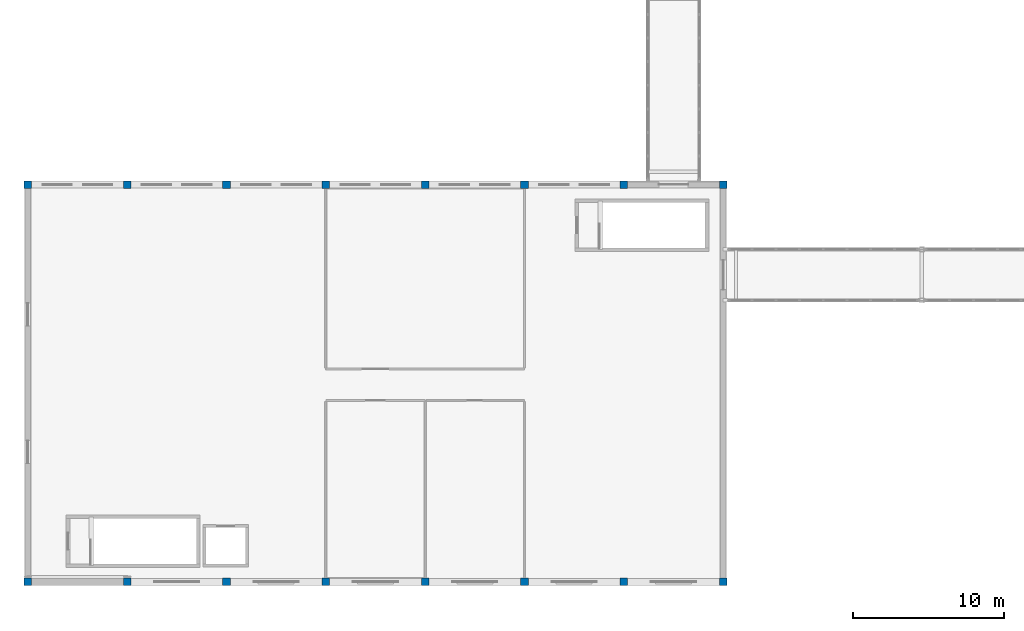
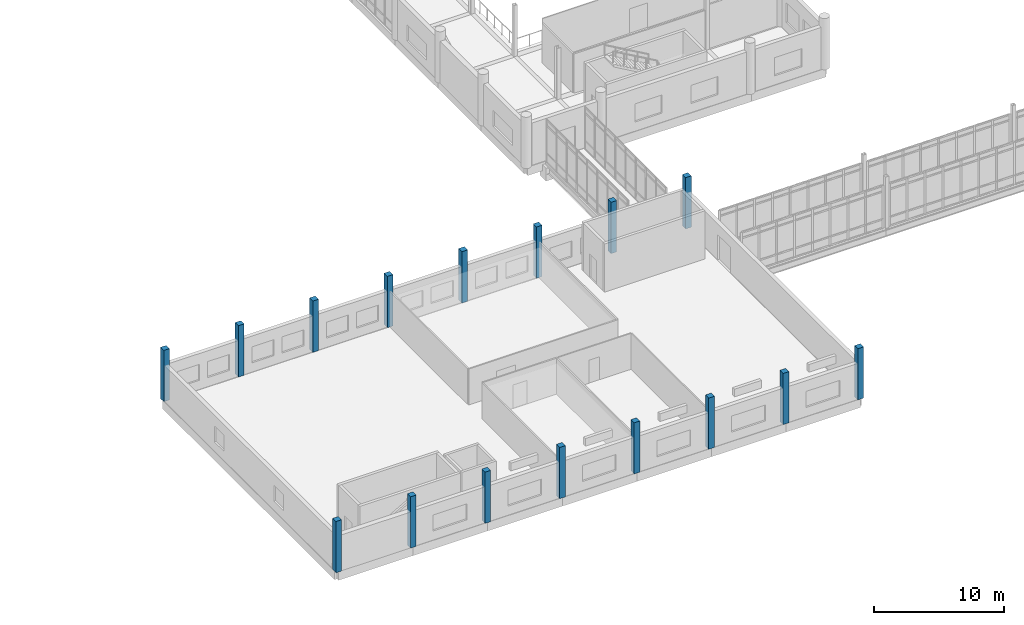
# One storey, part 1 of 101: 16 columns.
"""IFC4 building model written with IfcOpenShell, lengths in metres."""

import ifcopenshell
import ifcopenshell.guid

model = None  # the IFC model being written
_history = None  # IfcOwnerHistory: only IFC2X3 demands one
_inside = {}  # id of a spatial element -> (the spatial element, [elements in it])
_under = {}  # id of a project, library or spatial element -> (it, [spatial elements below it])
_declared = {}  # id of a project -> (the project, [libraries it declares])
_typed = {}  # id of a type object -> (the type object, [elements of that type])
_made_of = {}  # id of a material, layer set ... -> (it, [elements and type objects made of it])


def new_model(schema):
    """Start an empty IFC model of exactly this schema.

    Asked for "IFC4X3", IfcOpenShell would pick the latest addendum, in which some entities
    have other attributes; the version numbers below select the first issue.
    IFC2X3 requires an IfcOwnerHistory on every rooted entity: one is made here for all.
    """
    global model, _history
    if schema == "IFC4X3":
        model = ifcopenshell.file(schema_version=(4, 3, 0, 0))
    else:
        model = ifcopenshell.file(schema=schema)
    _inside.clear()
    _under.clear()
    _declared.clear()
    _typed.clear()
    _made_of.clear()
    _history = None
    if model.schema == "IFC2X3":
        org = make("IfcOrganization", Name="unknown")
        user = make(
            "IfcPersonAndOrganization",
            ThePerson=make("IfcPerson", FamilyName="unknown"),
            TheOrganization=org,
        )
        app = make(
            "IfcApplication",
            ApplicationDeveloper=org,
            Version="unknown",
            ApplicationFullName="unknown",
            ApplicationIdentifier="unknown",
        )
        _history = make(
            "IfcOwnerHistory",
            OwningUser=user,
            OwningApplication=app,
            ChangeAction="ADDED",
            CreationDate=0,
        )
    return model


def make(cls, **values):
    """One entity of the class cls with the attributes given. An attribute that is None is left unset."""
    return model.create_entity(
        cls, **{name: value for name, value in values.items() if value is not None}
    )


def rooted(cls, **values):
    """An entity with a GlobalId (a new one), such as an element, a storey or a relation."""
    return make(cls, GlobalId=ifcopenshell.guid.new(), OwnerHistory=_history, **values)


def si_unit(unit_type, name, prefix=None):
    """IfcSIUnit, for example si_unit("LENGTHUNIT", "METRE", prefix="MILLI")."""
    return make("IfcSIUnit", UnitType=unit_type, Prefix=prefix, Name=name)


def assignment(units):
    """IfcUnitAssignment: the units of a project."""
    return None if units is None else make("IfcUnitAssignment", Units=units)


def point(xyz):
    """IfcCartesianPoint."""
    return None if xyz is None else make("IfcCartesianPoint", Coordinates=xyz)


def direction(xyz):
    """IfcDirection."""
    return None if xyz is None else make("IfcDirection", DirectionRatios=xyz)


def frame(location, z_axis=None, x_axis=None):
    """IfcAxis2Placement3D, a coordinate frame: its origin and axes. An axis left out is left unset."""
    return make(
        "IfcAxis2Placement3D",
        Location=point(location),
        Axis=direction(z_axis),
        RefDirection=direction(x_axis),
    )


def frame_2d(location, x_axis=None):
    """IfcAxis2Placement2D, a coordinate frame in the plane: its origin and x axis."""
    return make(
        "IfcAxis2Placement2D", Location=point(location), RefDirection=direction(x_axis)
    )


def origin():
    """The frame at (0, 0, 0) with its axes left unset."""
    return frame((0.0, 0.0, 0.0))


def origin_2d():
    """The frame at (0, 0) in the plane with its x axis left unset."""
    return frame_2d((0.0, 0.0))


def place(relative_to, where):
    """IfcLocalPlacement: puts the frame where relative to a parent placement (None: the world)."""
    return make(
        "IfcLocalPlacement", PlacementRelTo=relative_to, RelativePlacement=where
    )


def context(
    kind, dimensions, precision=None, world=None, true_north=None, identifier=None
):
    """IfcGeometricRepresentationContext, for example the 3D "Model" context."""
    return make(
        "IfcGeometricRepresentationContext",
        ContextIdentifier=identifier,
        ContextType=kind,
        CoordinateSpaceDimension=dimensions,
        Precision=precision,
        WorldCoordinateSystem=world,
        TrueNorth=true_north,
    )


def subcontext(parent, identifier, kind, view, scale=None):
    """IfcGeometricRepresentationSubContext, for example "Body" below "Model"."""
    return make(
        "IfcGeometricRepresentationSubContext",
        ContextIdentifier=identifier,
        ContextType=kind,
        ParentContext=parent,
        TargetScale=scale,
        TargetView=view,
    )


def project(units=None, contexts=None):
    """IfcProject with its units and contexts."""
    return rooted(
        "IfcProject",
        Name="project",
        RepresentationContexts=contexts,
        UnitsInContext=assignment(units),
    )


def spatial(cls, under=None, at=None, **own):
    """A site, building, storey or space (cls), placed at a placement, below another one or the project."""
    s = rooted(cls, ObjectPlacement=at, **own)
    if under is not None:
        _under.setdefault(under.id(), (under, []))[1].append(s)
    return s


def profile(cls, at=None, kind="AREA", **sizes):
    """A parametric profile (cls). Its sizes go by their IFC names, for example OverallWidth=200.0."""
    return make(cls, ProfileType=kind, Position=at, **sizes)


def rectangle(**sizes):
    """IfcRectangleProfileDef."""
    return profile("IfcRectangleProfileDef", **sizes)


def extrude(swept, where, along, depth):
    """IfcExtrudedAreaSolid: the profile swept, set in the frame where, extruded along a direction by depth."""
    return make(
        "IfcExtrudedAreaSolid",
        SweptArea=swept,
        Position=where,
        ExtrudedDirection=direction(along),
        Depth=depth,
    )


def shape(context_of_items, identifier, shape_type, items):
    """IfcShapeRepresentation: the items that make up one representation, for example the "Body"."""
    return make(
        "IfcShapeRepresentation",
        ContextOfItems=context_of_items,
        RepresentationIdentifier=identifier,
        RepresentationType=shape_type,
        Items=items,
    )


def material(Name=None, Category=None):
    """IfcMaterial."""
    return make("IfcMaterial", Name=Name, Category=Category)


def material_profile(
    of_material, cross_section, Name=None, Category=None, Priority=None
):
    """IfcMaterialProfile: a cross section and its material."""
    return make(
        "IfcMaterialProfile",
        Name=Name,
        Material=of_material,
        Profile=cross_section,
        Priority=Priority,
        Category=Category,
    )


def profile_set(profiles, Name=None, composite=None):
    """IfcMaterialProfileSet."""
    return make(
        "IfcMaterialProfileSet",
        Name=Name,
        MaterialProfiles=profiles,
        CompositeProfile=composite,
    )


def made_of(thing, what):
    """Note that an element or type object is made of a material, layer set ...; save() writes the relation."""
    if what is not None:
        _made_of.setdefault(what.id(), (what, []))[1].append(thing)
    return thing


def type_object(cls, material=None, **own):
    """A type object (cls), such as IfcWallType, which elements share."""
    return made_of(rooted(cls, **own), material)


def element(
    cls,
    number,
    at=None,
    inside=None,
    cuts=None,
    type_object=None,
    material=None,
    context=None,
    identifier="Body",
    shape_type=None,
    held_by="IfcProductDefinitionShape",
    body=None,
    shapes=None,
    **own,
):
    """One element of the class cls, such as IfcWall. Its Tag is "e" and its number.

    at: its placement. inside: the storey or other place that contains it. cuts: it is an
    opening in that element (IfcRelVoidsElement). A single representation is given by context,
    identifier, shape_type and body (its items); several are given by shapes. held_by: the class
    of the entity that holds the representations. save() writes the other relations.
    """
    e = rooted(cls, Tag="e%d" % number, ObjectPlacement=at, **own)
    if body is not None:
        shapes = [shape(context, identifier, shape_type, body)]
    if shapes is not None:
        e.Representation = make(held_by, Representations=shapes)
    if inside is not None:
        _inside.setdefault(inside.id(), (inside, []))[1].append(e)
    if cuts is not None:
        rooted(
            "IfcRelVoidsElement", RelatingBuildingElement=cuts, RelatedOpeningElement=e
        )
    if type_object is not None:
        _typed.setdefault(type_object.id(), (type_object, []))[1].append(e)
    return made_of(e, material)


def aggregate(whole, parts):
    """IfcRelAggregates: a whole, such as a stair, and the parts it consists of."""
    return rooted("IfcRelAggregates", RelatingObject=whole, RelatedObjects=parts)


def save(model, path):
    """Write the relations noted so far, then the file.

    IfcRelAggregates (storeys below a building ...), IfcRelContainedInSpatialStructure (elements
    in a storey), IfcRelDefinesByType, IfcRelAssociatesMaterial and IfcRelDeclares: one each for
    every whole, place, type object, material and project.
    """
    for whole, parts in _under.values():
        aggregate(whole, parts)
    for where, things in _inside.values():
        rooted(
            "IfcRelContainedInSpatialStructure",
            RelatedElements=things,
            RelatingStructure=where,
        )
    for kind, things in _typed.values():
        rooted("IfcRelDefinesByType", RelatedObjects=things, RelatingType=kind)
    for what, things in _made_of.values():
        rooted("IfcRelAssociatesMaterial", RelatedObjects=things, RelatingMaterial=what)
    for by, libraries in _declared.values():
        rooted("IfcRelDeclares", RelatingContext=by, RelatedDefinitions=libraries)
    model.write(path)


model = new_model("IFC4")

# Units and contexts
model_context = context("Model", 3, precision=1e-05, world=origin(), true_north=direction((0.0, 1.0)))
body_context = subcontext(model_context, "Body", "Model", "MODEL_VIEW")
ifc_project = project(units=[si_unit("LENGTHUNIT", "METRE"), si_unit("AREAUNIT", "SQUARE_METRE"), si_unit("VOLUMEUNIT", "CUBIC_METRE"), si_unit("PLANEANGLEUNIT", "RADIAN"), si_unit("MASSUNIT", "GRAM", prefix="KILO")], contexts=[model_context])

# Site, building, storey
site_placement = place(None, origin())
site = spatial("IfcSite", under=ifc_project, at=site_placement, CompositionType="ELEMENT")
building_placement = place(site_placement, origin())
building = spatial("IfcBuilding", under=site, at=building_placement, Name="Dornvale Research Institute", CompositionType="ELEMENT")
storey_placement = place(building_placement, frame((0.0, 0.0, 10.199951171875)))
storey = spatial("IfcBuildingStorey", under=building, at=storey_placement, Name="L02", CompositionType="ELEMENT", Elevation=10.199951171875)

# Columns
ifc_material = material(Name="Concrete f'c 45 MPa (C35/45)", Category="concrete")
ifc_material_profile = material_profile(ifc_material, rectangle(XDim=0.5, YDim=0.5, at=origin_2d()), Name="RC 500x500")
ifc_profile_set = profile_set([ifc_material_profile], Name="Concrete f'c 45 MPa (C35/45)")
column_type = type_object("IfcColumnType", Name="Column_Ext_RC500", PredefinedType="COLUMN", material=ifc_profile_set)
for number, where, z_axis, x_axis, name in (
    (1, (0.0, 0.0, 0.0), (0.0, 0.0, 1.0), (1.0, 0.0, 0.0), "L02 column #1194"),
    (2, (0.0, 26.39990234375, 0.0), (0.0, 0.0, 1.0), (1.0, 0.0, 0.0), "L02 column #1195"),
    (3, (6.60009765625, 0.0, 0.0), (0.0, 0.0, 1.0), (1.0, 0.0, 0.0), "L02 column #1196"),
    (4, (6.60009765625, 26.39990234375, 0.0), (0.0, 0.0, 1.0), (1.0, 0.0, 0.0), "L02 column #1197"),
    (5, (13.199951171875, 0.0, 0.0), (0.0, 0.0, 1.0), (1.0, 0.0, 0.0), "L02 column #1198"),
    (6, (13.199951171875, 26.39990234375, 0.0), (0.0, 0.0, 1.0), (1.0, 0.0, 0.0), "L02 column #1199"),
    (7, (19.800048828125, 0.0, 0.0), (0.0, 0.0, 1.0), (1.0, 0.0, 0.0), "L02 column #1200"),
    (8, (19.800048828125, 26.39990234375, 0.0), (0.0, 0.0, 1.0), (1.0, 0.0, 0.0), "L02 column #1201"),
    (9, (26.39990234375, 0.0, 0.0), (0.0, 0.0, 1.0), (1.0, 0.0, 0.0), "L02 column #1202"),
    (10, (26.39990234375, 26.39990234375, 0.0), (0.0, 0.0, 1.0), (1.0, 0.0, 0.0), "L02 column #1203"),
    (11, (33.0, 0.0, 0.0), (0.0, 0.0, 1.0), (1.0, 0.0, 0.0), "L02 column #1204"),
    (12, (33.0, 26.39990234375, 0.0), (0.0, 0.0, 1.0), (1.0, 0.0, 0.0), "L02 column #1205"),
    (13, (39.60009765625, 0.0, 0.0), (0.0, 0.0, 1.0), (1.0, 0.0, 0.0), "L02 column #1206"),
    (14, (39.60009765625, 26.39990234375, 0.0), (0.0, 0.0, 1.0), (1.0, 0.0, 0.0), "L02 column #1207"),
    (15, (46.199951171875, 0.0, 0.0), (0.0, 0.0, 1.0), (1.0, 0.0, 0.0), "L02 column #1208"),
    (16, (46.199951171875, 26.39990234375, 0.0), (0.0, 0.0, 1.0), (1.0, 0.0, 0.0), "L02 column #1209"),
):
    element("IfcColumn", number, at=place(storey_placement, frame(where, z_axis=z_axis, x_axis=x_axis)), inside=storey, type_object=column_type, Name=name, PredefinedType="COLUMN", context=body_context, shape_type="SweptSolid", body=[
        extrude(rectangle(XDim=0.5, YDim=0.5, at=origin_2d()), origin(), (0.0, 0.0, 1.0), 4.800048828125),
    ])

save(model, "model.ifc")
